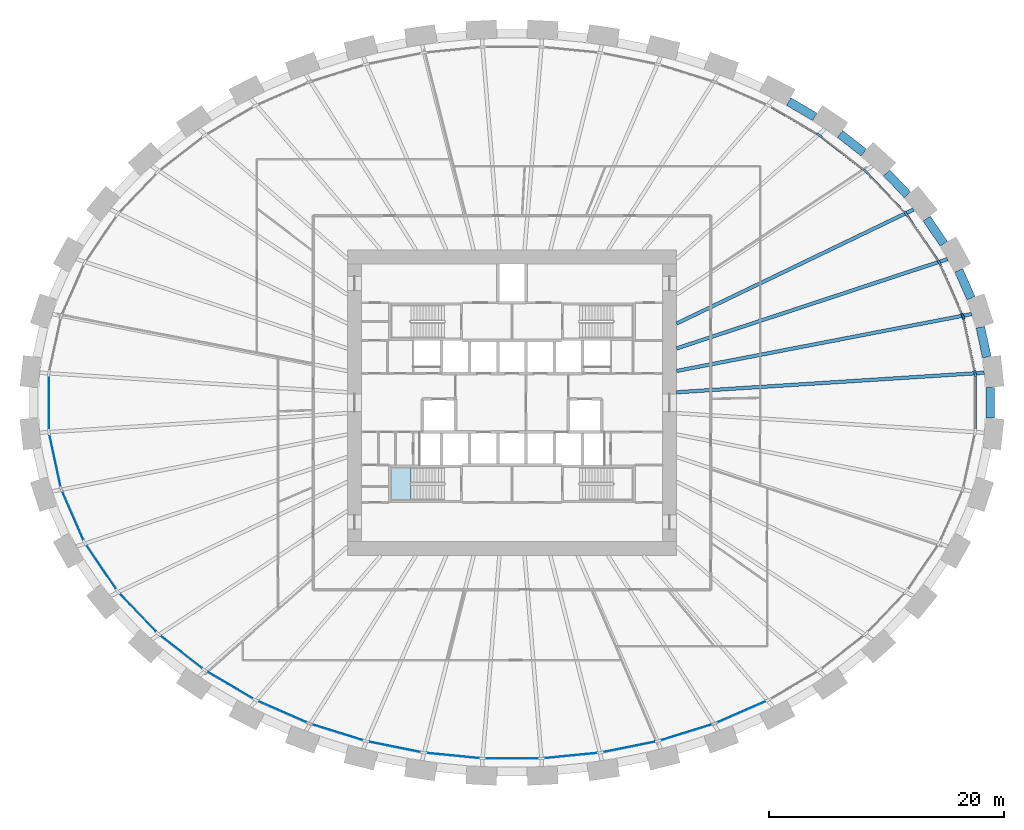
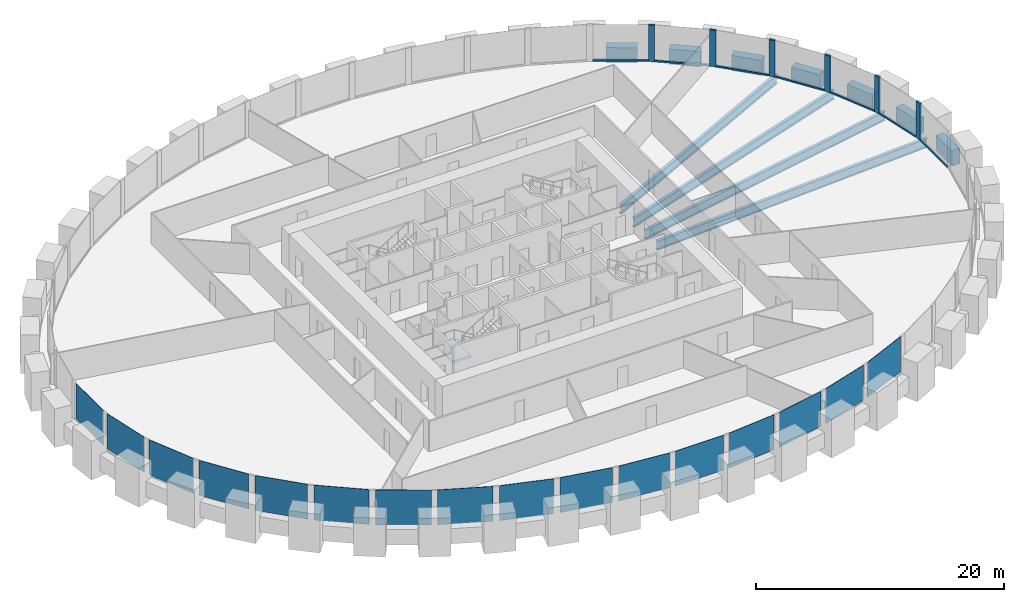
# One storey, part 4 of 10: 16 plates, 13 members, 11 beams, 1 slab, 2 elements without a shape of their own.
"""IFC4 building model written with IfcOpenShell, lengths in metres."""

from ifc_helpers import new_model, si_unit, direction, frame, origin, origin_2d, place, context, subcontext, project, spatial, polyline, rectangle, i_section, outline, extrude, source, transform, mapped, material, layer, layer_set, material_profile, profile_set, type_object, element, aggregate, save


model = new_model("IFC4")

# Units and contexts
model_context = context("Model", 3, precision=1e-05, world=origin(), true_north=direction((0.0, 1.0)))
body_context = subcontext(model_context, "Body", "Model", "MODEL_VIEW")
ifc_project = project(units=[si_unit("LENGTHUNIT", "METRE"), si_unit("AREAUNIT", "SQUARE_METRE"), si_unit("VOLUMEUNIT", "CUBIC_METRE"), si_unit("PLANEANGLEUNIT", "RADIAN"), si_unit("MASSUNIT", "GRAM", prefix="KILO")], contexts=[model_context])

# Site, building, storey
site_placement = place(None, origin())
site = spatial("IfcSite", under=ifc_project, at=site_placement, CompositionType="ELEMENT")
building_placement = place(site_placement, origin())
building = spatial("IfcBuilding", under=site, at=building_placement, Name="Embergate Tower", CompositionType="ELEMENT")
storey_placement = place(building_placement, frame((0.0, 0.0, 97.10009765625)))
storey = spatial("IfcBuildingStorey", under=building, at=storey_placement, Name="L20", CompositionType="ELEMENT", Elevation=97.10009765625)

# Beams
ifc_material_1 = material(Name="Concrete C70", Category="concrete")
ifc_material_profile_1 = material_profile(ifc_material_1, rectangle(XDim=0.75, YDim=1.5, at=origin_2d()), Name="RC 750x1500")
ifc_profile_set_1 = profile_set([ifc_material_profile_1], Name="Concrete C70")
beam_type_1 = type_object("IfcBeamType", Name="Spandrel beam RC 750x1500 C70", PredefinedType="BEAM", material=ifc_profile_set_1)
shared_shape_1 = source(origin(), body_context, "Body", "SweptSolid", [
    extrude(rectangle(XDim=0.75, YDim=1.5, at=origin_2d()), origin(), (0.0, 0.0, 1.0), 2.593017578125),
])
beam_1_placement = place(storey_placement, frame((40.383056640625, 3.882080078125, 0.0), z_axis=(-0.210615598697, 0.977568958993, 0.0), x_axis=(-0.977568958993, -0.210615598697, 0.0)))
element("IfcBeam", 1, at=beam_1_placement, inside=storey, type_object=beam_type_1, Name="SPN-L20-00", PredefinedType="BEAM", context=body_context, shape_type="MappedRepresentation", body=[
    mapped(shared_shape_1, transform((0.0, 0.0, 0.0))),
])
shared_shape_2 = source(origin(), body_context, "Body", "SweptSolid", [
    extrude(rectangle(XDim=0.75, YDim=1.5, at=origin_2d()), origin(), (0.0, 0.0, 1.0), 2.587646484375),
])
beam_2_placement = place(storey_placement, frame((39.037109375, 8.89111328125, 0.0), z_axis=(-0.401546272055, 0.915838736568, 0.0), x_axis=(-0.915838736568, -0.401546272055, 0.0)))
element("IfcBeam", 2, at=beam_2_placement, inside=storey, type_object=beam_type_1, Name="SPN-L20-01", PredefinedType="BEAM", context=body_context, shape_type="MappedRepresentation", body=[
    mapped(shared_shape_2, transform((0.0, 0.0, 0.0))),
])
shared_shape_3 = source(origin(), body_context, "Body", "SweptSolid", [
    extrude(rectangle(XDim=0.75, YDim=1.5, at=origin_2d()), origin(), (0.0, 0.0, 1.0), 2.5791015625),
])
beam_3_placement = place(storey_placement, frame((36.721923828125, 13.52587890625, 0.0), z_axis=(-0.562170202136, 0.82702156189, 0.0), x_axis=(-0.82702156189, -0.562170202136, 0.0)))
element("IfcBeam", 3, at=beam_3_placement, inside=storey, type_object=beam_type_1, Name="SPN-L20-02", PredefinedType="BEAM", context=body_context, shape_type="MappedRepresentation", body=[
    mapped(shared_shape_3, transform((0.0, 0.0, 0.0))),
])
shared_shape_4 = source(origin(), body_context, "Body", "SweptSolid", [
    extrude(rectangle(XDim=0.75, YDim=1.5, at=origin_2d()), origin(), (0.0, 0.0, 1.0), 2.57373046875),
])
beam_4_placement = place(storey_placement, frame((33.637939453125, 17.680908203125, 0.0), z_axis=(-0.689972491303, 0.723835589927, 0.0), x_axis=(-0.723835589927, -0.689972491303, 0.0)))
element("IfcBeam", 4, at=beam_4_placement, inside=storey, type_object=beam_type_1, Name="SPN-L20-03", PredefinedType="BEAM", context=body_context, shape_type="MappedRepresentation", body=[
    mapped(shared_shape_4, transform((0.0, 0.0, 0.0))),
])
shared_shape_5 = source(origin(), body_context, "Body", "SweptSolid", [
    extrude(rectangle(XDim=0.75, YDim=1.5, at=origin_2d()), origin(), (0.0, 0.0, 1.0), 2.5654296875),
])
beam_5_placement = place(storey_placement, frame((29.9208984375, 21.27392578125, 0.0), z_axis=(-0.788131123291, 0.615507378103, 0.0), x_axis=(-0.615507378103, -0.788131123291, 0.0)))
element("IfcBeam", 5, at=beam_5_placement, inside=storey, type_object=beam_type_1, Name="SPN-L20-04", PredefinedType="BEAM", context=body_context, shape_type="MappedRepresentation", body=[
    mapped(shared_shape_5, transform((0.0, 0.0, 0.0))),
])
shared_shape_6 = source(origin(), body_context, "Body", "SweptSolid", [
    extrude(rectangle(XDim=0.75, YDim=1.5, at=origin_2d()), origin(), (0.0, 0.0, 1.0), 2.561279296875),
])
beam_6_placement = place(storey_placement, frame((25.7490234375, 24.31494140625, 0.0), z_axis=(-0.862059156479, 0.506807666409, 0.0), x_axis=(-0.506807666409, -0.862059156479, 0.0)))
element("IfcBeam", 6, at=beam_6_placement, inside=storey, type_object=beam_type_1, Name="SPN-L20-05", PredefinedType="BEAM", context=body_context, shape_type="MappedRepresentation", body=[
    mapped(shared_shape_6, transform((0.0, 0.0, 0.0))),
])
shared_shape_7 = source(origin(), body_context, "Body", "SweptSolid", [
    extrude(rectangle(XDim=0.75, YDim=1.5, at=origin_2d()), origin(), (0.0, 0.0, 1.0), 2.59814453125),
])
beam_7_placement = place(storey_placement, frame((40.677978515625, -1.299072265625, 0.0), z_axis=(0.0, 1.0, 0.0), x_axis=(-1.0, 0.0, 0.0)))
element("IfcBeam", 7, at=beam_7_placement, inside=storey, type_object=beam_type_1, Name="SPN-L20-43", PredefinedType="BEAM", context=body_context, shape_type="MappedRepresentation", body=[
    mapped(shared_shape_7, transform((0.0, 0.0, 0.0))),
])
ifc_material_2 = material(Name="Steel Q355B", Category="steel")
ifc_material_profile_2 = material_profile(ifc_material_2, i_section(OverallWidth=0.300048828125, OverallDepth=0.89990234375, WebThickness=0.01611328125, FlangeThickness=0.028076171875, FilletRadius=0.028076171875, at=origin_2d()), Name="HN 900x300x16x28")
ifc_profile_set_2 = profile_set([ifc_material_profile_2], Name="Steel Q355 grade B")
beam_type_2 = type_object("IfcBeamType", Name="Radial girder HN 900x300x16x28", PredefinedType="BEAM", material=ifc_profile_set_2)
shared_shape_8 = source(origin(), body_context, "Body", "SweptSolid", [
    extrude(i_section(OverallWidth=0.300048828125, OverallDepth=0.89990234375, WebThickness=0.01611328125, FlangeThickness=0.028076171875, FilletRadius=0.028076171875, at=origin_2d()), origin(), (0.0, 0.0, 1.0), 26.2158203125),
])
beam_8_placement = place(storey_placement, frame((40.1630859375, 2.551025390625, -0.650146484375), z_axis=(-0.997988133713, -0.063400985539, 0.0), x_axis=(0.063400985539, -0.997988133713, 0.0)))
element("IfcBeam", 8, at=beam_8_placement, inside=storey, type_object=beam_type_2, Name="GIR-L20-00", PredefinedType="BEAM", context=body_context, shape_type="MappedRepresentation", body=[
    mapped(shared_shape_8, transform((0.0, 0.0, 0.0))),
])
shared_shape_9 = source(origin(), body_context, "Body", "SweptSolid", [
    extrude(i_section(OverallWidth=0.300048828125, OverallDepth=0.89990234375, WebThickness=0.01611328125, FlangeThickness=0.028076171875, FilletRadius=0.028076171875, at=origin_2d()), origin(), (0.0, 0.0, 1.0), 25.5517578125),
])
beam_9_placement = place(storey_placement, frame((39.089111328125, 7.541015625, -0.650146484375), z_axis=(-0.981895532799, -0.189423236878, 0.0), x_axis=(0.189423236878, -0.981895532799, 0.0)))
element("IfcBeam", 9, at=beam_9_placement, inside=storey, type_object=beam_type_2, Name="GIR-L20-01", PredefinedType="BEAM", context=body_context, shape_type="MappedRepresentation", body=[
    mapped(shared_shape_9, transform((0.0, 0.0, 0.0))),
])
shared_shape_10 = source(origin(), body_context, "Body", "SweptSolid", [
    extrude(i_section(OverallWidth=0.300048828125, OverallDepth=0.89990234375, WebThickness=0.01611328125, FlangeThickness=0.028076171875, FilletRadius=0.028076171875, at=origin_2d()), origin(), (0.0, 0.0, 1.0), 24.259521484375),
])
beam_10_placement = place(storey_placement, frame((37.0390625, 12.215087890625, -0.650146484375), z_axis=(-0.949686852887, -0.313201024029, 0.0), x_axis=(0.313201024029, -0.949686852887, 0.0)))
element("IfcBeam", 10, at=beam_10_placement, inside=storey, type_object=beam_type_2, Name="GIR-L20-02", PredefinedType="BEAM", context=body_context, shape_type="MappedRepresentation", body=[
    mapped(shared_shape_10, transform((0.0, 0.0, 0.0))),
])
shared_shape_11 = source(origin(), body_context, "Body", "SweptSolid", [
    extrude(i_section(OverallWidth=0.300048828125, OverallDepth=0.89990234375, WebThickness=0.01611328125, FlangeThickness=0.028076171875, FilletRadius=0.028076171875, at=origin_2d()), origin(), (0.0, 0.0, 1.0), 22.381103515625),
])
beam_11_placement = place(storey_placement, frame((34.1689453125, 16.43701171875, -0.650146484375), z_axis=(-0.901159999326, -0.4334866268, 0.0), x_axis=(0.4334866268, -0.901159999326, 0.0)))
element("IfcBeam", 11, at=beam_11_placement, inside=storey, type_object=beam_type_2, Name="GIR-L20-03", PredefinedType="BEAM", context=body_context, shape_type="MappedRepresentation", body=[
    mapped(shared_shape_11, transform((0.0, 0.0, 0.0))),
])

# Curtain wall, members, plates
ifc_material_3 = material(Name="Aluminium and glass", Category="aluminium")
curtain_wall_type = type_object("IfcCurtainWallType", Name="Recessed office glazing", PredefinedType="NOTDEFINED", material=ifc_material_3)
curtain_wall_placement = place(storey_placement, origin())
curtain_wall = element("IfcCurtainWall", 12, at=curtain_wall_placement, inside=storey, type_object=curtain_wall_type, Name="Recessed office glazing ring", ObjectType="RECESSED OFFICE GLAZING", PredefinedType="USERDEFINED")
ifc_material_4 = material(Name="Aluminium, thermally broken", Category="aluminium")
ifc_material_profile_3 = material_profile(ifc_material_4, rectangle(XDim=0.179931640625, YDim=0.14990234375, at=origin_2d()), Name="AL 150x180")
ifc_profile_set_3 = profile_set([ifc_material_profile_3], Name="Aluminium, thermally broken")
member_type_1 = type_object("IfcMemberType", Name="Office sill transom", PredefinedType="USERDEFINED", material=ifc_profile_set_3)
shared_shape_12 = source(origin(), body_context, "Body", "SweptSolid", [
    extrude(rectangle(XDim=0.179931640625, YDim=0.14990234375, at=origin_2d()), origin(), (0.0, 0.0, 1.0), 4.45361328125),
])
member_1_placement = place(storey_placement, frame((39.339111328125, 2.73974609375, 0.074951171875), z_axis=(-0.210390045313, 0.977617526865, 0.0), x_axis=(-0.977617526865, -0.210390045313, 0.0)))
member_1 = element("IfcMember", 13, at=member_1_placement, type_object=member_type_1, Name="CW transom 1.1", ObjectType="TRANSOM", PredefinedType="USERDEFINED", context=body_context, shape_type="MappedRepresentation", body=[
    mapped(shared_shape_12, transform((0.0, 0.0, 0.0))),
])
shared_shape_13 = source(origin(), body_context, "Body", "SweptSolid", [
    extrude(rectangle(XDim=0.179931640625, YDim=0.14990234375, at=origin_2d()), origin(), (0.0, 0.0, 1.0), 4.460693359375),
])
member_2_placement = place(storey_placement, frame((38.242919921875, 7.586181640625, 0.074951171875), z_axis=(-0.401613983085, 0.915809045921, 0.0), x_axis=(-0.915809045921, -0.401613983085, 0.0)))
member_2 = element("IfcMember", 14, at=member_2_placement, type_object=member_type_1, Name="CW transom 2.1", ObjectType="TRANSOM", PredefinedType="USERDEFINED", context=body_context, shape_type="MappedRepresentation", body=[
    mapped(shared_shape_13, transform((0.0, 0.0, 0.0))),
])
shared_shape_14 = source(origin(), body_context, "Body", "SweptSolid", [
    extrude(rectangle(XDim=0.179931640625, YDim=0.14990234375, at=origin_2d()), origin(), (0.0, 0.0, 1.0), 4.4697265625),
])
member_3_placement = place(storey_placement, frame((36.20068359375, 12.12451171875, 0.074951171875), z_axis=(-0.562327949545, 0.826914310652, 0.0), x_axis=(-0.826914310652, -0.562327949545, 0.0)))
member_3 = element("IfcMember", 15, at=member_3_placement, type_object=member_type_1, Name="CW transom 3.1", ObjectType="TRANSOM", PredefinedType="USERDEFINED", context=body_context, shape_type="MappedRepresentation", body=[
    mapped(shared_shape_14, transform((0.0, 0.0, 0.0))),
])
shared_shape_15 = source(origin(), body_context, "Body", "SweptSolid", [
    extrude(rectangle(XDim=0.179931640625, YDim=0.14990234375, at=origin_2d()), origin(), (0.0, 0.0, 1.0), 4.478515625),
])
member_4_placement = place(storey_placement, frame((33.361572265625, 16.2236328125, 0.074951171875), z_axis=(-0.690145055563, 0.723671059447, 0.0), x_axis=(-0.723671059447, -0.690145055563, 0.0)))
member_4 = element("IfcMember", 16, at=member_4_placement, type_object=member_type_1, Name="CW transom 4.1", ObjectType="TRANSOM", PredefinedType="USERDEFINED", context=body_context, shape_type="MappedRepresentation", body=[
    mapped(shared_shape_15, transform((0.0, 0.0, 0.0))),
])
shared_shape_16 = source(origin(), body_context, "Body", "SweptSolid", [
    extrude(rectangle(XDim=0.179931640625, YDim=0.14990234375, at=origin_2d()), origin(), (0.0, 0.0, 1.0), 4.486083984375),
])
member_5_placement = place(storey_placement, frame((29.886474609375, 19.812744140625, 0.074951171875), z_axis=(-0.78829904423, 0.615292301972, 0.0), x_axis=(-0.615292301972, -0.78829904423, 0.0)))
member_5 = element("IfcMember", 17, at=member_5_placement, type_object=member_type_1, Name="CW transom 5.1", ObjectType="TRANSOM", PredefinedType="USERDEFINED", context=body_context, shape_type="MappedRepresentation", body=[
    mapped(shared_shape_16, transform((0.0, 0.0, 0.0))),
])
shared_shape_17 = source(origin(), body_context, "Body", "SweptSolid", [
    extrude(rectangle(XDim=0.179931640625, YDim=0.14990234375, at=origin_2d()), origin(), (0.0, 0.0, 1.0), 4.491943359375),
])
member_6_placement = place(storey_placement, frame((25.9208984375, 22.86474609375, 0.074951171875), z_axis=(-0.8620529522, 0.506818219486, 0.0), x_axis=(-0.506818219486, -0.8620529522, 0.0)))
member_6 = element("IfcMember", 18, at=member_6_placement, type_object=member_type_1, Name="CW transom 6.1", ObjectType="TRANSOM", PredefinedType="USERDEFINED", context=body_context, shape_type="MappedRepresentation", body=[
    mapped(shared_shape_17, transform((0.0, 0.0, 0.0))),
])
shared_shape_18 = source(origin(), body_context, "Body", "SweptSolid", [
    extrude(rectangle(XDim=0.179931640625, YDim=0.14990234375, at=origin_2d()), origin(), (0.0, 0.0, 1.0), 4.451171875),
])
member_7_placement = place(storey_placement, frame((39.393798828125, -2.2255859375, 0.074951171875), z_axis=(0.0, 1.0, 0.0), x_axis=(-1.0, 0.0, 0.0)))
member_7 = element("IfcMember", 19, at=member_7_placement, type_object=member_type_1, Name="CW transom 44.1", ObjectType="TRANSOM", PredefinedType="USERDEFINED", context=body_context, shape_type="MappedRepresentation", body=[
    mapped(shared_shape_18, transform((0.0, 0.0, 0.0))),
])
ifc_material_profile_4 = material_profile(ifc_material_4, rectangle(XDim=0.179931640625, YDim=0.52001953125, at=origin_2d()), Name="AL 520x180")
ifc_profile_set_4 = profile_set([ifc_material_profile_4], Name="Aluminium, thermally broken")
member_type_2 = type_object("IfcMemberType", Name="Office mullion", PredefinedType="MULLION", material=ifc_profile_set_4)
shared_shape_19 = source(origin(), body_context, "Body", "SweptSolid", [
    extrude(rectangle(XDim=0.179931640625, YDim=0.52001953125, at=origin_2d()), origin(), (0.0, 0.0, 1.0), 3.599853515625),
])
member_8_placement = place(storey_placement, frame((39.393798828125, 2.485595703125, 0.0), z_axis=(0.0, 0.0, 1.0), x_axis=(-0.994385508811, -0.105818050756, 0.0)))
member_8 = element("IfcMember", 20, at=member_8_placement, type_object=member_type_2, Name="CW mullion 1", PredefinedType="MULLION", context=body_context, shape_type="MappedRepresentation", body=[
    mapped(shared_shape_19, transform((0.0, 0.0, 0.0))),
])
member_9_placement = place(storey_placement, frame((38.347412109375, 7.347900390625, 0.0), z_axis=(0.0, 0.0, 1.0), x_axis=(-0.951502093582, -0.307642269381, 0.0)))
member_9 = element("IfcMember", 21, at=member_9_placement, type_object=member_type_2, Name="CW mullion 2", PredefinedType="MULLION", context=body_context, shape_type="MappedRepresentation", body=[
    mapped(shared_shape_19, transform((0.0, 0.0, 0.0))),
])
member_10_placement = place(storey_placement, frame((36.3466796875, 11.909423828125, 0.0), z_axis=(0.0, 0.0, 1.0), x_axis=(-0.875010345178, -0.48410422001, 0.0)))
member_10 = element("IfcMember", 22, at=member_10_placement, type_object=member_type_2, Name="CW mullion 3", PredefinedType="MULLION", context=body_context, shape_type="MappedRepresentation", body=[
    mapped(shared_shape_19, transform((0.0, 0.0, 0.0))),
])
member_11_placement = place(storey_placement, frame((33.541015625, 16.035400390625, 0.0), z_axis=(0.0, 0.0, 1.0), x_axis=(-0.777883532271, -0.628408474022, 0.0)))
member_11 = element("IfcMember", 23, at=member_11_placement, type_object=member_type_2, Name="CW mullion 4", PredefinedType="MULLION", context=body_context, shape_type="MappedRepresentation", body=[
    mapped(shared_shape_19, transform((0.0, 0.0, 0.0))),
])
member_12_placement = place(storey_placement, frame((30.09130859375, 19.65283203125, 0.0), z_axis=(0.0, 0.0, 1.0), x_axis=(-0.671239471147, -0.741240563093, 0.0)))
member_12 = element("IfcMember", 24, at=member_12_placement, type_object=member_type_2, Name="CW mullion 5", PredefinedType="MULLION", context=body_context, shape_type="MappedRepresentation", body=[
    mapped(shared_shape_19, transform((0.0, 0.0, 0.0))),
])
member_13_placement = place(storey_placement, frame((26.14501953125, 22.73291015625, 0.0), z_axis=(0.0, 0.0, 1.0), x_axis=(-0.562229165438, -0.826981478348, 0.0)))
member_13 = element("IfcMember", 25, at=member_13_placement, type_object=member_type_2, Name="CW mullion 6", PredefinedType="MULLION", context=body_context, shape_type="MappedRepresentation", body=[
    mapped(shared_shape_19, transform((0.0, 0.0, 0.0))),
])
ifc_material_5 = material(Name="Triple glazing, low-emissivity coating", Category="glass")
ifc_layer_1 = layer(ifc_material_5, 0.035888671875)
ifc_layer_set_1 = layer_set([ifc_layer_1], Name="Triple glazing, low-emissivity coating")
plate_type = type_object("IfcPlateType", Name="Office glazing unit", PredefinedType="CURTAIN_PANEL", material=ifc_layer_set_1)
shared_shape_20 = source(origin(), body_context, "Body", "SweptSolid", [
    extrude(rectangle(XDim=4.453857421875, YDim=0.035888671875, at=origin_2d()), origin(), (0.0, 0.0, 1.0), 3.449951171875),
])
plate_1_placement = place(storey_placement, frame((-38.87060546875, -4.916748046875, 0.14990234375), z_axis=(0.0, 0.0, 1.0), x_axis=(0.210391566126, -0.977617199574, 0.0)))
plate_1 = element("IfcPlate", 26, at=plate_1_placement, type_object=plate_type, Name="CW panel 23.1", PredefinedType="CURTAIN_PANEL", context=body_context, shape_type="MappedRepresentation", body=[
    mapped(shared_shape_20, transform((0.0, 0.0, 0.0))),
])
shared_shape_21 = source(origin(), body_context, "Body", "SweptSolid", [
    extrude(rectangle(XDim=4.460693359375, YDim=0.035888671875, at=origin_2d()), origin(), (0.0, 0.0, 1.0), 3.449951171875),
])
plate_2_placement = place(storey_placement, frame((-37.34716796875, -9.628662109375, 0.14990234375), z_axis=(0.0, 0.0, 1.0), x_axis=(0.401644109346, -0.915795833921, 0.0)))
plate_2 = element("IfcPlate", 27, at=plate_2_placement, type_object=plate_type, Name="CW panel 24.1", PredefinedType="CURTAIN_PANEL", context=body_context, shape_type="MappedRepresentation", body=[
    mapped(shared_shape_21, transform((0.0, 0.0, 0.0))),
])
shared_shape_22 = source(origin(), body_context, "Body", "SweptSolid", [
    extrude(rectangle(XDim=4.4697265625, YDim=0.035888671875, at=origin_2d()), origin(), (0.0, 0.0, 1.0), 3.449951171875),
])
plate_3_placement = place(storey_placement, frame((-34.94384765625, -13.972412109375, 0.14990234375), z_axis=(0.0, 0.0, 1.0), x_axis=(0.562331639324, -0.826911801473, 0.0)))
plate_3 = element("IfcPlate", 28, at=plate_3_placement, type_object=plate_type, Name="CW panel 25.1", PredefinedType="CURTAIN_PANEL", context=body_context, shape_type="MappedRepresentation", body=[
    mapped(shared_shape_22, transform((0.0, 0.0, 0.0))),
])
shared_shape_23 = source(origin(), body_context, "Body", "SweptSolid", [
    extrude(rectangle(XDim=4.478515625, YDim=0.035888671875, at=origin_2d()), origin(), (0.0, 0.0, 1.0), 3.449951171875),
])
plate_4_placement = place(storey_placement, frame((-31.816162109375, -17.84423828125, 0.14990234375), z_axis=(0.0, 0.0, 1.0), x_axis=(0.690124942972, -0.723690239735, 0.0)))
plate_4 = element("IfcPlate", 29, at=plate_4_placement, type_object=plate_type, Name="CW panel 26.1", PredefinedType="CURTAIN_PANEL", context=body_context, shape_type="MappedRepresentation", body=[
    mapped(shared_shape_23, transform((0.0, 0.0, 0.0))),
])
shared_shape_24 = source(origin(), body_context, "Body", "SweptSolid", [
    extrude(rectangle(XDim=4.486083984375, YDim=0.035888671875, at=origin_2d()), origin(), (0.0, 0.0, 1.0), 3.449951171875),
])
plate_5_placement = place(storey_placement, frame((-28.1181640625, -21.19287109375, 0.14990234375), z_axis=(0.0, 0.0, 1.0), x_axis=(0.788312602312, -0.615274931259, 0.0)))
plate_5 = element("IfcPlate", 30, at=plate_5_placement, type_object=plate_type, Name="CW panel 27.1", PredefinedType="CURTAIN_PANEL", context=body_context, shape_type="MappedRepresentation", body=[
    mapped(shared_shape_24, transform((0.0, 0.0, 0.0))),
])
shared_shape_25 = source(origin(), body_context, "Body", "SweptSolid", [
    extrude(rectangle(XDim=4.491943359375, YDim=0.035888671875, at=origin_2d()), origin(), (0.0, 0.0, 1.0), 3.449951171875),
])
plate_6_placement = place(storey_placement, frame((-23.98486328125, -24.0029296875, 0.14990234375), z_axis=(0.0, 0.0, 1.0), x_axis=(0.86204786038, -0.506826880122, 0.0)))
plate_6 = element("IfcPlate", 31, at=plate_6_placement, type_object=plate_type, Name="CW panel 28.1", PredefinedType="CURTAIN_PANEL", context=body_context, shape_type="MappedRepresentation", body=[
    mapped(shared_shape_25, transform((0.0, 0.0, 0.0))),
])
shared_shape_26 = source(origin(), body_context, "Body", "SweptSolid", [
    extrude(rectangle(XDim=4.49658203125, YDim=0.035888671875, at=origin_2d()), origin(), (0.0, 0.0, 1.0), 3.449951171875),
])
plate_7_placement = place(storey_placement, frame((-19.5263671875, -26.278076171875, 0.14990234375), z_axis=(0.0, 0.0, 1.0), x_axis=(0.916232715476, -0.400646491426, 0.0)))
plate_7 = element("IfcPlate", 32, at=plate_7_placement, type_object=plate_type, Name="CW panel 29.1", PredefinedType="CURTAIN_PANEL", context=body_context, shape_type="MappedRepresentation", body=[
    mapped(shared_shape_26, transform((0.0, 0.0, 0.0))),
])
plate_8_placement = place(storey_placement, frame((19.5263671875, -26.278076171875, 0.14990234375), z_axis=(0.0, 0.0, 1.0), x_axis=(0.916232715476, 0.400646491426, 0.0)))
plate_8 = element("IfcPlate", 33, at=plate_8_placement, type_object=plate_type, Name="CW panel 37.1", PredefinedType="CURTAIN_PANEL", context=body_context, shape_type="MappedRepresentation", body=[
    mapped(shared_shape_26, transform((0.0, 0.0, 0.0))),
])
shared_shape_27 = source(origin(), body_context, "Body", "SweptSolid", [
    extrude(rectangle(XDim=4.5, YDim=0.035888671875, at=origin_2d()), origin(), (0.0, 0.0, 1.0), 3.449951171875),
])
plate_9_placement = place(storey_placement, frame((-14.831787109375, -28.029296875, 0.14990234375), z_axis=(0.0, 0.0, 1.0), x_axis=(0.954770141339, -0.297344879236, 0.0)))
plate_9 = element("IfcPlate", 34, at=plate_9_placement, type_object=plate_type, Name="CW panel 30.1", PredefinedType="CURTAIN_PANEL", context=body_context, shape_type="MappedRepresentation", body=[
    mapped(shared_shape_27, transform((0.0, 0.0, 0.0))),
])
plate_10_placement = place(storey_placement, frame((14.831787109375, -28.029296875, 0.14990234375), z_axis=(0.0, 0.0, 1.0), x_axis=(0.954770141339, 0.297344879236, 0.0)))
plate_10 = element("IfcPlate", 35, at=plate_10_placement, type_object=plate_type, Name="CW panel 36.1", PredefinedType="CURTAIN_PANEL", context=body_context, shape_type="MappedRepresentation", body=[
    mapped(shared_shape_27, transform((0.0, 0.0, 0.0))),
])
shared_shape_28 = source(origin(), body_context, "Body", "SweptSolid", [
    extrude(rectangle(XDim=4.502197265625, YDim=0.035888671875, at=origin_2d()), origin(), (0.0, 0.0, 1.0), 3.449951171875),
])
plate_11_placement = place(storey_placement, frame((-9.97314453125, -29.269287109375, 0.14990234375), z_axis=(0.0, 0.0, 1.0), x_axis=(0.980474877795, -0.196644384646, 0.0)))
plate_11 = element("IfcPlate", 36, at=plate_11_placement, type_object=plate_type, Name="CW panel 31.1", PredefinedType="CURTAIN_PANEL", context=body_context, shape_type="MappedRepresentation", body=[
    mapped(shared_shape_28, transform((0.0, 0.0, 0.0))),
])
plate_12_placement = place(storey_placement, frame((9.97314453125, -29.269287109375, 0.14990234375), z_axis=(0.0, 0.0, 1.0), x_axis=(0.980474877795, 0.196644384646, 0.0)))
plate_12 = element("IfcPlate", 37, at=plate_12_placement, type_object=plate_type, Name="CW panel 35.1", PredefinedType="CURTAIN_PANEL", context=body_context, shape_type="MappedRepresentation", body=[
    mapped(shared_shape_28, transform((0.0, 0.0, 0.0))),
])
shared_shape_29 = source(origin(), body_context, "Body", "SweptSolid", [
    extrude(rectangle(XDim=4.50341796875, YDim=0.035888671875, at=origin_2d()), origin(), (0.0, 0.0, 1.0), 3.449951171875),
])
plate_13_placement = place(storey_placement, frame((-5.01171875, -30.009033203125, 0.14990234375), z_axis=(0.0, 0.0, 1.0), x_axis=(0.995203014042, -0.097831287645, 0.0)))
plate_13 = element("IfcPlate", 38, at=plate_13_placement, type_object=plate_type, Name="CW panel 32.1", PredefinedType="CURTAIN_PANEL", context=body_context, shape_type="MappedRepresentation", body=[
    mapped(shared_shape_29, transform((0.0, 0.0, 0.0))),
])
plate_14_placement = place(storey_placement, frame((5.01171875, -30.009033203125, 0.14990234375), z_axis=(0.0, 0.0, 1.0), x_axis=(0.995203014042, 0.097831287645, 0.0)))
plate_14 = element("IfcPlate", 39, at=plate_14_placement, type_object=plate_type, Name="CW panel 34.1", PredefinedType="CURTAIN_PANEL", context=body_context, shape_type="MappedRepresentation", body=[
    mapped(shared_shape_29, transform((0.0, 0.0, 0.0))),
])
shared_shape_30 = source(origin(), body_context, "Body", "SweptSolid", [
    extrude(rectangle(XDim=4.50390625, YDim=0.035888671875, at=origin_2d()), origin(), (0.0, 0.0, 1.0), 3.449951171875),
])
plate_15_placement = place(storey_placement, frame((0.0, -30.254638671875, 0.14990234375), z_axis=(0.0, 0.0, 1.0), x_axis=(1.0, 0.0, 0.0)))
plate_15 = element("IfcPlate", 40, at=plate_15_placement, type_object=plate_type, Name="CW panel 33.1", PredefinedType="CURTAIN_PANEL", context=body_context, shape_type="MappedRepresentation", body=[
    mapped(shared_shape_30, transform((0.0, 0.0, 0.0))),
])
shared_shape_31 = source(origin(), body_context, "Body", "SweptSolid", [
    extrude(rectangle(XDim=4.451171875, YDim=0.035888671875, at=origin_2d()), origin(), (0.0, 0.0, 1.0), 3.449951171875),
])
plate_16_placement = place(storey_placement, frame((-39.393798828125, 0.0, 0.14990234375), z_axis=(0.0, 0.0, 1.0), x_axis=(0.0, -1.0, 0.0)))
plate_16 = element("IfcPlate", 41, at=plate_16_placement, type_object=plate_type, Name="CW panel 22.1", PredefinedType="CURTAIN_PANEL", context=body_context, shape_type="MappedRepresentation", body=[
    mapped(shared_shape_31, transform((0.0, 0.0, 0.0))),
])
aggregate(curtain_wall, [member_8, member_9, member_10, member_11, member_12, member_13, member_1, member_2, member_3, member_4, member_5, member_6, plate_16, plate_1, plate_2, plate_3, plate_4, plate_5, plate_6, plate_7, plate_9, plate_11, plate_13, plate_15, plate_14, plate_12, plate_10, plate_8, member_7])

# Stair, slab
ifc_material_6 = material(Name="Exit stair")
stair_type = type_object("IfcStairType", Name="Exit stair", PredefinedType="HALF_TURN_STAIR", material=ifc_material_6)
stair_placement = place(storey_placement, origin())
stair = element("IfcStair", 42, at=stair_placement, inside=storey, type_object=stair_type, Name="L20 Exit stair 3", PredefinedType="HALF_TURN_STAIR")
ifc_material_7 = material(Name="Concrete C40", Category="concrete")
ifc_layer_2 = layer(ifc_material_7, 0.199951171875)
ifc_layer_set_2 = layer_set([ifc_layer_2], Name="Concrete C40")
slab_type = type_object("IfcSlabType", Name="Stair landing reinforced concrete", PredefinedType="LANDING", material=ifc_layer_set_2)
shared_shape_32 = source(origin(), body_context, "Body", "SweptSolid", [
    extrude(outline(polyline([(0.0, 0.0), (1.68994140625, 0.0), (1.68994140625, 2.800048828125), (0.0, 2.800048828125), (0.0, 0.0)])), origin(), (0.0, 0.0, 1.0), 0.199951171875),
])
slab_placement = place(storey_placement, frame((-10.300048828125, -8.300048828125, 1.75)))
slab = element("IfcSlab", 43, at=slab_placement, type_object=slab_type, Name="ST3 landing 1", PredefinedType="LANDING", context=body_context, shape_type="MappedRepresentation", body=[
    mapped(shared_shape_32, transform((0.0, 0.0, 0.0))),
])
aggregate(stair, [slab])

save(model, "model.ifc")
